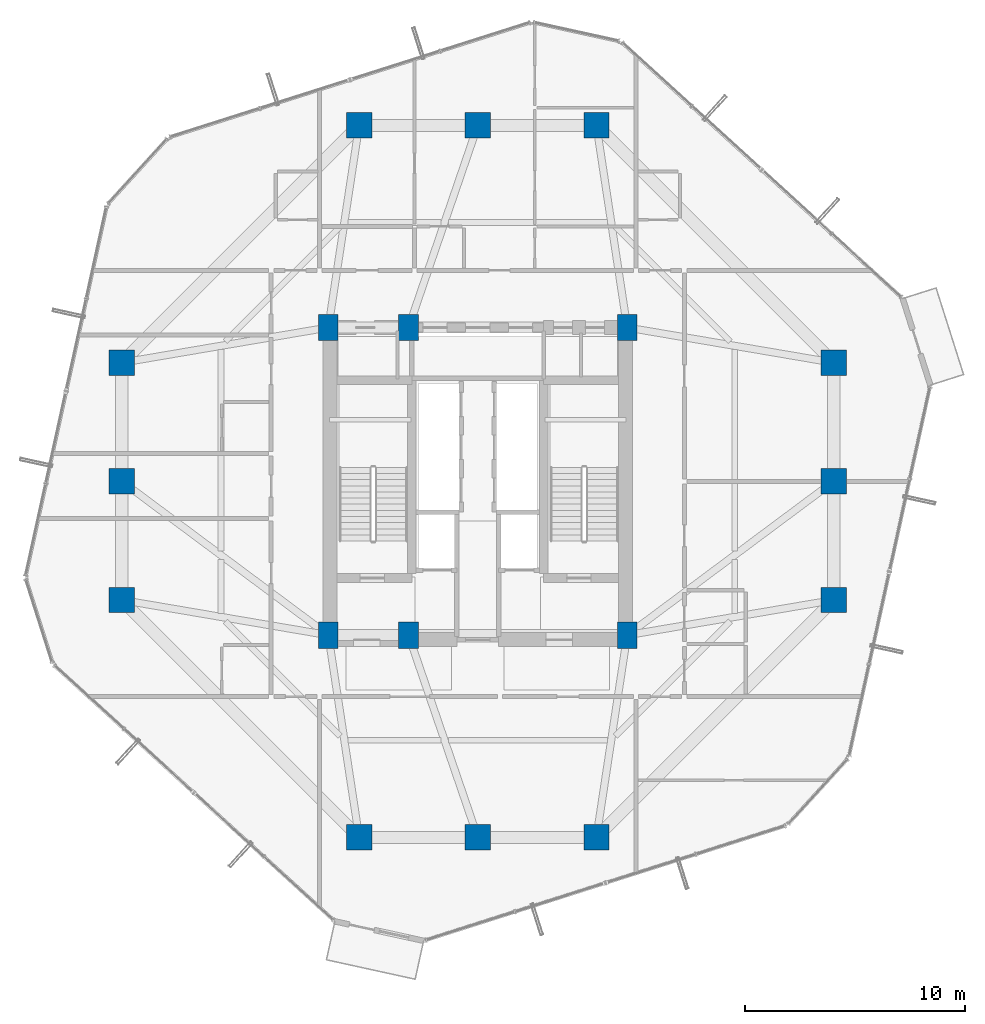
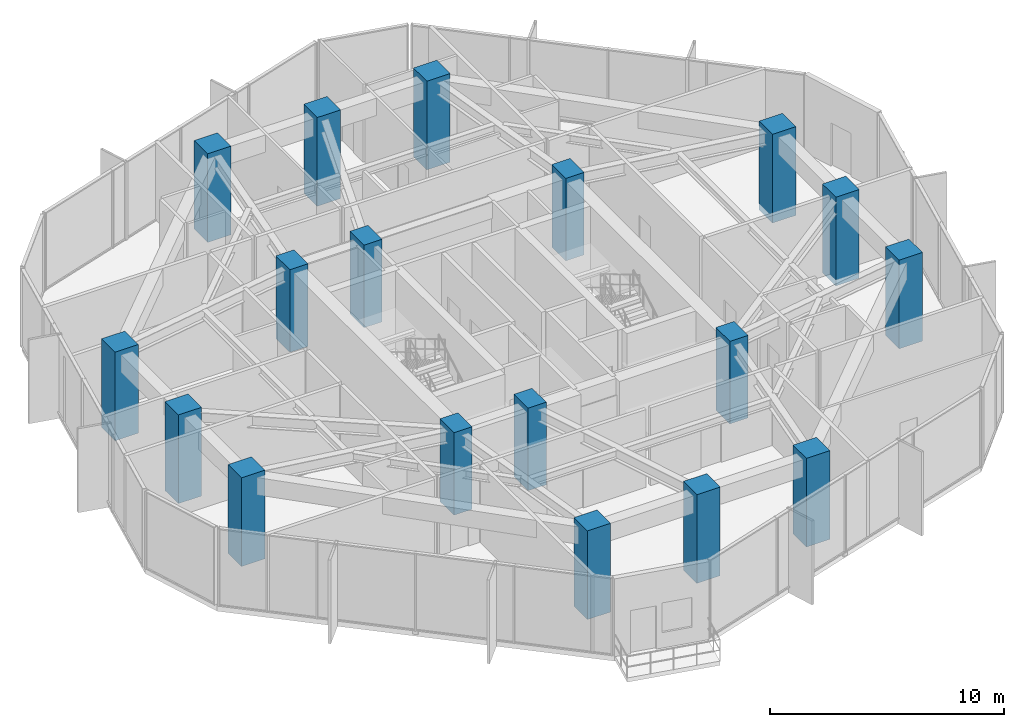
# One storey, part 1 of 28: 18 columns.
"""IFC4 building model written with IfcOpenShell, lengths in metres."""

from ifc_helpers import new_model, si_unit, direction, frame, origin, origin_2d, place, context, subcontext, project, spatial, rectangle, extrude, material, material_profile, profile_set, type_object, element, save


model = new_model("IFC4")

# Units and contexts
model_context = context("Model", 3, precision=1e-05, world=origin(), true_north=direction((0.0, 1.0)))
body_context = subcontext(model_context, "Body", "Model", "MODEL_VIEW")
ifc_project = project(units=[si_unit("LENGTHUNIT", "METRE"), si_unit("AREAUNIT", "SQUARE_METRE"), si_unit("VOLUMEUNIT", "CUBIC_METRE"), si_unit("PLANEANGLEUNIT", "RADIAN"), si_unit("MASSUNIT", "GRAM", prefix="KILO")], contexts=[model_context])

# Site, building, storey
site_placement = place(None, origin())
site = spatial("IfcSite", under=ifc_project, at=site_placement, CompositionType="ELEMENT")
building_placement = place(site_placement, origin())
building = spatial("IfcBuilding", under=site, at=building_placement, Name="Veraguas Prism Commons", CompositionType="ELEMENT")
storey_placement = place(building_placement, frame((0.0, 0.0, 85.14990234375)))
storey = spatial("IfcBuildingStorey", under=building, at=storey_placement, Name="L23", CompositionType="ELEMENT", Elevation=85.14990234375)

# Columns
ifc_material = material(Name="Concrete C60/75", Category="concrete")
ifc_material_profile_1 = material_profile(ifc_material, rectangle(XDim=1.14990234375, YDim=1.14990234375, at=origin_2d()), Name="RC1150X1150")
ifc_profile_set_1 = profile_set([ifc_material_profile_1], Name="Concrete C60/75")
column_type_1 = type_object("IfcColumnType", Name="Column Tube Z2 RC 1150x1150", PredefinedType="COLUMN", material=ifc_profile_set_1)
for number, where, z_axis, x_axis, name in (
    (1, (40.199951171875, 18.60009765625, -0.31982421875), (0.0, 0.0, 1.0), (1.0, 0.0, 0.0), "Tower Perimeter Column L23-TB01"),
    (2, (40.199951171875, 24.0, -0.31982421875), (0.0, 0.0, 1.0), (1.0, 0.0, 0.0), "Tower Perimeter Column L23-TB02"),
    (3, (40.199951171875, 29.39990234375, -0.31982421875), (0.0, 0.0, 1.0), (1.0, 0.0, 0.0), "Tower Perimeter Column L23-TB03"),
    (4, (29.39990234375, 40.199951171875, -0.31982421875), (0.0, 0.0, 1.0), (1.0, 0.0, 0.0), "Tower Perimeter Column L23-TB04"),
    (5, (24.0, 40.199951171875, -0.31982421875), (0.0, 0.0, 1.0), (1.0, 0.0, 0.0), "Tower Perimeter Column L23-TB05"),
    (6, (18.60009765625, 40.199951171875, -0.31982421875), (0.0, 0.0, 1.0), (1.0, 0.0, 0.0), "Tower Perimeter Column L23-TB06"),
    (7, (7.800048828125, 29.39990234375, -0.31982421875), (0.0, 0.0, 1.0), (1.0, 0.0, 0.0), "Tower Perimeter Column L23-TB07"),
    (8, (7.800048828125, 24.0, -0.31982421875), (0.0, 0.0, 1.0), (1.0, 0.0, 0.0), "Tower Perimeter Column L23-TB08"),
    (9, (7.800048828125, 18.60009765625, -0.31982421875), (0.0, 0.0, 1.0), (1.0, 0.0, 0.0), "Tower Perimeter Column L23-TB09"),
    (10, (18.60009765625, 7.800048828125, -0.31982421875), (0.0, 0.0, 1.0), (1.0, 0.0, 0.0), "Tower Perimeter Column L23-TB10"),
    (11, (24.0, 7.800048828125, -0.31982421875), (0.0, 0.0, 1.0), (1.0, 0.0, 0.0), "Tower Perimeter Column L23-TB11"),
    (12, (29.39990234375, 7.800048828125, -0.31982421875), (0.0, 0.0, 1.0), (1.0, 0.0, 0.0), "Tower Perimeter Column L23-TB12"),
):
    element("IfcColumn", number, at=place(storey_placement, frame(where, z_axis=z_axis, x_axis=x_axis)), inside=storey, type_object=column_type_1, Name=name, PredefinedType="COLUMN", context=body_context, shape_type="SweptSolid", body=[
        extrude(rectangle(XDim=1.14990234375, YDim=1.14990234375, at=origin_2d()), origin(), (0.0, 0.0, 1.0), 4.619873046875),
    ])
ifc_material_profile_2 = material_profile(ifc_material, rectangle(XDim=0.89990234375, YDim=1.199951171875, at=origin_2d()), Name="RC900X1200")
ifc_profile_set_2 = profile_set([ifc_material_profile_2], Name="Concrete C60/75")
column_type_2 = type_object("IfcColumnType", Name="Pilaster Core Lower RC 900x1200", PredefinedType="PILASTER", material=ifc_profile_set_2)
for number, where, z_axis, x_axis, name in (
    (13, (17.199951171875, 17.0, 0.0), (0.0, 0.0, 1.0), (1.0, 0.0, 0.0), "Core Pilaster Column L23-CR1"),
    (14, (20.85009765625, 17.0, 0.0), (0.0, 0.0, 1.0), (1.0, 0.0, 0.0), "Core Pilaster Column L23-CR2"),
    (15, (30.800048828125, 17.0, 0.0), (0.0, 0.0, 1.0), (1.0, 0.0, 0.0), "Core Pilaster Column L23-CR3"),
    (16, (17.199951171875, 31.0, 0.0), (0.0, 0.0, 1.0), (1.0, 0.0, 0.0), "Core Pilaster Column L23-CR4"),
    (17, (20.85009765625, 31.0, 0.0), (0.0, 0.0, 1.0), (1.0, 0.0, 0.0), "Core Pilaster Column L23-CR5"),
    (18, (30.800048828125, 31.0, 0.0), (0.0, 0.0, 1.0), (1.0, 0.0, 0.0), "Core Pilaster Column L23-CR6"),
):
    element("IfcColumn", number, at=place(storey_placement, frame(where, z_axis=z_axis, x_axis=x_axis)), inside=storey, type_object=column_type_2, Name=name, PredefinedType="PILASTER", context=body_context, shape_type="SweptSolid", body=[
        extrude(rectangle(XDim=0.89990234375, YDim=1.199951171875, at=origin_2d()), origin(), (0.0, 0.0, 1.0), 4.300048828125),
    ])

save(model, "model.ifc")
